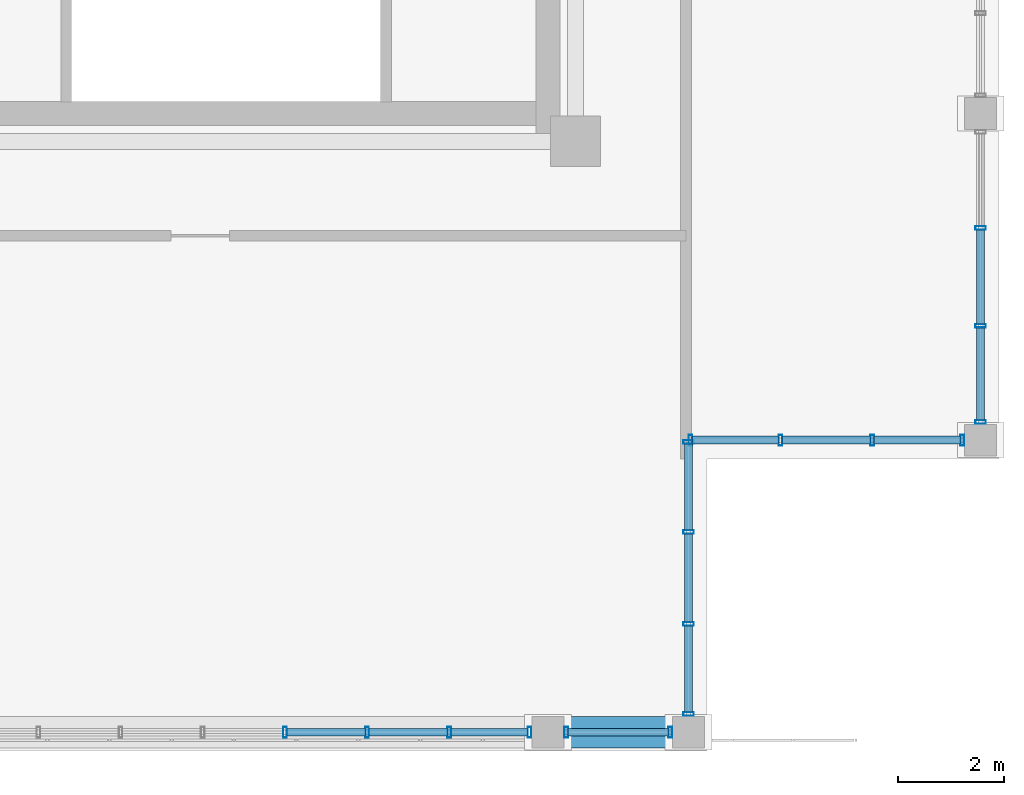
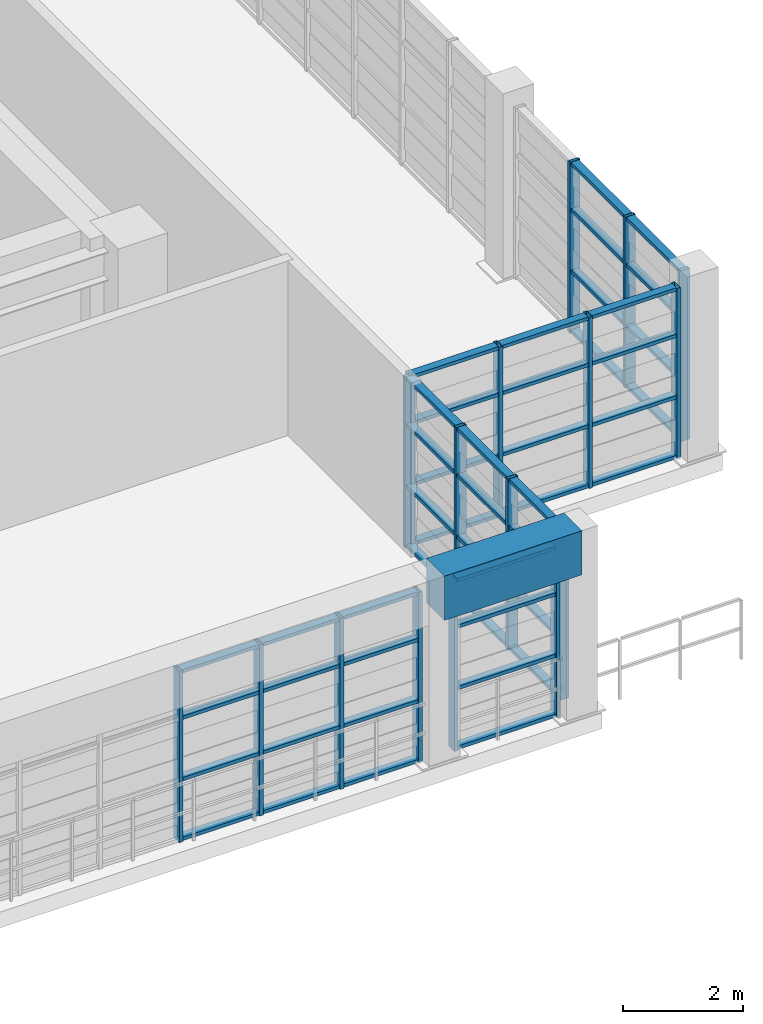
# One storey, part 6 of 24: 65 members, 1 beam, 5 elements without a shape of their own.
"""IFC4 building model written with IfcOpenShell, lengths in metres."""

from ifc_helpers import new_model, si_unit, direction, frame, origin, origin_2d, place, context, subcontext, project, spatial, rectangle, hollow_rectangle, extrude, source, transform, mapped, material, layer, layer_set, material_profile, profile_set, type_object, element, aggregate, save


model = new_model("IFC4")

# Units and contexts
model_context = context("Model", 3, precision=1e-05, world=origin(), true_north=direction((0.0, 1.0)))
body_context = subcontext(model_context, "Body", "Model", "MODEL_VIEW")
ifc_project = project(units=[si_unit("LENGTHUNIT", "METRE"), si_unit("AREAUNIT", "SQUARE_METRE"), si_unit("VOLUMEUNIT", "CUBIC_METRE"), si_unit("PLANEANGLEUNIT", "RADIAN"), si_unit("MASSUNIT", "GRAM", prefix="KILO")], contexts=[model_context])

# Site, building, storey
site_placement = place(None, origin())
site = spatial("IfcSite", under=ifc_project, at=site_placement, CompositionType="ELEMENT")
building_placement = place(site_placement, origin())
building = spatial("IfcBuilding", under=site, at=building_placement, Name="Saelheon Loggia Tower", CompositionType="ELEMENT")
storey_placement = place(building_placement, frame((0.0, 0.0, 252.199951171875)))
storey = spatial("IfcBuildingStorey", under=building, at=storey_placement, Name="CR1", CompositionType="ELEMENT", Elevation=252.199951171875)

# Beam
ifc_material_1 = material(Name="Precast Concrete C45/55", Category="concrete")
ifc_material_profile_1 = material_profile(ifc_material_1, rectangle(XDim=0.60009765625, YDim=0.89990234375, at=origin_2d()), Name="RC-600x900")
ifc_profile_set_1 = profile_set([ifc_material_profile_1], Name="Precast Concrete C45/55")
beam_type = type_object("IfcBeamType", Name="CrownFrame_Ring_RC600x900", PredefinedType="BEAM", material=ifc_profile_set_1)
shared_shape_1 = source(origin(), body_context, "Body", "SweptSolid", [
    extrude(rectangle(XDim=0.60009765625, YDim=0.89990234375, at=origin_2d()), origin(), (0.0, 0.0, 1.0), 2.64990234375),
])
beam_placement = place(storey_placement, frame((44.5, 6.35009765625, 3.35009765625), z_axis=(1.0, 0.0, 0.0), x_axis=(0.0, 1.0, 0.0)))
element("IfcBeam", 1, at=beam_placement, inside=storey, type_object=beam_type, Name="CR1 CROWN FRAME Sill Beam 03", PredefinedType="BEAM", context=body_context, shape_type="MappedRepresentation", body=[
    mapped(shared_shape_1, transform((0.0, 0.0, 0.0), scale=1.0)),
])

# Curtain wall, members
ifc_material_2 = material(Name="Bronze-Anodised Aluminium and Fritted Ceramic Screen", Category="aluminium")
ifc_layer = layer(ifc_material_2, 0.219970703125)
ifc_layer_set = layer_set([ifc_layer], Name="Bronze-Anodised Aluminium and Fritted Ceramic Screen")
curtain_wall_type = type_object("IfcCurtainWallType", Name="CW_CrownScreen", PredefinedType="NOTDEFINED", material=ifc_layer_set)
curtain_wall_1_placement = place(storey_placement, origin())
curtain_wall_1 = element("IfcCurtainWall", 2, at=curtain_wall_1_placement, inside=storey, type_object=curtain_wall_type, Name="CR1 Crown Screen Curtain Wall 0-2", PredefinedType="NOTDEFINED")
ifc_material_3 = material(Name="Bronze-Anodised Aluminium 6063-T6", Category="aluminium")
ifc_material_profile_2 = material_profile(ifc_material_3, hollow_rectangle(XDim=0.070068359375, YDim=0.199951171875, WallThickness=0.0048828125, at=origin_2d()), Name="RHS-200x70x5")
ifc_profile_set_2 = profile_set([ifc_material_profile_2], Name="Bronze-Anodised Aluminium 6063-T6")
member_type_1 = type_object("IfcMemberType", Name="CW_CrownScreen_Mullion", PredefinedType="MULLION", material=ifc_profile_set_2)
shared_shape_2 = source(origin(), body_context, "Body", "SweptSolid", [
    extrude(hollow_rectangle(XDim=0.070068359375, YDim=0.199951171875, WallThickness=0.0048828125, at=origin_2d()), origin(), (0.0, 0.0, 1.0), 3.47998046875),
])
member_1_placement = place(storey_placement, frame((39.547607421875, 6.35009765625, 0.0), z_axis=(0.0, 0.0, 1.0), x_axis=(1.0, 0.0, 0.0)))
member_1 = element("IfcMember", 3, at=member_1_placement, type_object=member_type_1, Name="CW6 mullion 6", PredefinedType="MULLION", context=body_context, shape_type="MappedRepresentation", body=[
    mapped(shared_shape_2, transform((0.0, 0.0, 0.0), scale=1.0)),
])
member_2_placement = place(storey_placement, frame((41.094970703125, 6.35009765625, 0.0), z_axis=(0.0, 0.0, 1.0), x_axis=(1.0, 0.0, 0.0)))
member_2 = element("IfcMember", 4, at=member_2_placement, type_object=member_type_1, Name="CW6 mullion 7", PredefinedType="MULLION", context=body_context, shape_type="MappedRepresentation", body=[
    mapped(shared_shape_2, transform((0.0, 0.0, 0.0), scale=1.0)),
])
member_3_placement = place(storey_placement, frame((42.642578125, 6.35009765625, 0.0), z_axis=(0.0, 0.0, 1.0), x_axis=(1.0, 0.0, 0.0)))
member_3 = element("IfcMember", 5, at=member_3_placement, type_object=member_type_1, Name="CW6 mullion 8", PredefinedType="MULLION", context=body_context, shape_type="MappedRepresentation", body=[
    mapped(shared_shape_2, transform((0.0, 0.0, 0.0), scale=1.0)),
])
member_4_placement = place(storey_placement, frame((44.155029296875, 6.35009765625, 0.0), z_axis=(0.0, 0.0, 1.0), x_axis=(1.0, 0.0, 0.0)))
member_4 = element("IfcMember", 6, at=member_4_placement, type_object=member_type_1, Name="CW6 mullion 9", PredefinedType="MULLION", context=body_context, shape_type="MappedRepresentation", body=[
    mapped(shared_shape_2, transform((0.0, 0.0, 0.0), scale=1.0)),
])

curtain_wall_2_placement = place(storey_placement, origin())
curtain_wall_2 = element("IfcCurtainWall", 7, at=curtain_wall_2_placement, inside=storey, type_object=curtain_wall_type, Name="CR1 Crown Screen Curtain Wall 0-3", PredefinedType="NOTDEFINED")
member_5_placement = place(storey_placement, frame((44.844970703125, 6.35009765625, 0.0), z_axis=(0.0, 0.0, 1.0), x_axis=(1.0, 0.0, 0.0)))
member_5 = element("IfcMember", 8, at=member_5_placement, type_object=member_type_1, Name="CW6 mullion 1", PredefinedType="MULLION", context=body_context, shape_type="MappedRepresentation", body=[
    mapped(shared_shape_2, transform((0.0, 0.0, 0.0), scale=1.0)),
])
member_6_placement = place(storey_placement, frame((46.804931640625, 6.35009765625, 0.0), z_axis=(0.0, 0.0, 1.0), x_axis=(1.0, 0.0, 0.0)))
member_6 = element("IfcMember", 9, at=member_6_placement, type_object=member_type_1, Name="CW6 mullion 2", PredefinedType="MULLION", context=body_context, shape_type="MappedRepresentation", body=[
    mapped(shared_shape_2, transform((0.0, 0.0, 0.0), scale=1.0)),
])

curtain_wall_3_placement = place(storey_placement, origin())
curtain_wall_3 = element("IfcCurtainWall", 10, at=curtain_wall_3_placement, inside=storey, type_object=curtain_wall_type, Name="CR1 Crown Screen Curtain Wall 1-1", PredefinedType="NOTDEFINED")
member_7_placement = place(storey_placement, frame((47.14990234375, 6.695068359375, 0.0), z_axis=(0.0, 0.0, 1.0), x_axis=(0.0, 1.0, 0.0)))
member_7 = element("IfcMember", 11, at=member_7_placement, type_object=member_type_1, Name="CW6 mullion 1", PredefinedType="MULLION", context=body_context, shape_type="MappedRepresentation", body=[
    mapped(shared_shape_2, transform((0.0, 0.0, 0.0), scale=1.0)),
])
member_8_placement = place(storey_placement, frame((47.14990234375, 8.389892578125, 0.0), z_axis=(0.0, 0.0, 1.0), x_axis=(0.0, 1.0, 0.0)))
member_8 = element("IfcMember", 12, at=member_8_placement, type_object=member_type_1, Name="CW6 mullion 2", PredefinedType="MULLION", context=body_context, shape_type="MappedRepresentation", body=[
    mapped(shared_shape_2, transform((0.0, 0.0, 0.0), scale=1.0)),
])
member_9_placement = place(storey_placement, frame((47.14990234375, 10.1201171875, 0.0), z_axis=(0.0, 0.0, 1.0), x_axis=(0.0, 1.0, 0.0)))
member_9 = element("IfcMember", 13, at=member_9_placement, type_object=member_type_1, Name="CW6 mullion 3", PredefinedType="MULLION", context=body_context, shape_type="MappedRepresentation", body=[
    mapped(shared_shape_2, transform((0.0, 0.0, 0.0), scale=1.0)),
])
member_10_placement = place(storey_placement, frame((47.14990234375, 11.81494140625, 0.0), z_axis=(0.0, 0.0, 1.0), x_axis=(0.0, 1.0, 0.0)))
member_10 = element("IfcMember", 14, at=member_10_placement, type_object=member_type_1, Name="CW6 mullion 4", PredefinedType="MULLION", context=body_context, shape_type="MappedRepresentation", body=[
    mapped(shared_shape_2, transform((0.0, 0.0, 0.0), scale=1.0)),
])

curtain_wall_4_placement = place(storey_placement, origin())
curtain_wall_4 = element("IfcCurtainWall", 15, at=curtain_wall_4_placement, inside=storey, type_object=curtain_wall_type, Name="CR1 Crown Screen Curtain Wall 2-1", PredefinedType="NOTDEFINED")
member_11_placement = place(storey_placement, frame((47.18505859375, 11.85009765625, 0.0), z_axis=(0.0, 0.0, 1.0), x_axis=(1.0, 0.0, 0.0)))
member_11 = element("IfcMember", 16, at=member_11_placement, type_object=member_type_1, Name="CW6 mullion 1", PredefinedType="MULLION", context=body_context, shape_type="MappedRepresentation", body=[
    mapped(shared_shape_2, transform((0.0, 0.0, 0.0), scale=1.0)),
])
member_12_placement = place(storey_placement, frame((48.8798828125, 11.85009765625, 0.0), z_axis=(0.0, 0.0, 1.0), x_axis=(1.0, 0.0, 0.0)))
member_12 = element("IfcMember", 17, at=member_12_placement, type_object=member_type_1, Name="CW6 mullion 2", PredefinedType="MULLION", context=body_context, shape_type="MappedRepresentation", body=[
    mapped(shared_shape_2, transform((0.0, 0.0, 0.0), scale=1.0)),
])
member_13_placement = place(storey_placement, frame((50.610107421875, 11.85009765625, 0.0), z_axis=(0.0, 0.0, 1.0), x_axis=(1.0, 0.0, 0.0)))
member_13 = element("IfcMember", 18, at=member_13_placement, type_object=member_type_1, Name="CW6 mullion 3", PredefinedType="MULLION", context=body_context, shape_type="MappedRepresentation", body=[
    mapped(shared_shape_2, transform((0.0, 0.0, 0.0), scale=1.0)),
])
member_14_placement = place(storey_placement, frame((52.304931640625, 11.85009765625, 0.0), z_axis=(0.0, 0.0, 1.0), x_axis=(1.0, 0.0, 0.0)))
member_14 = element("IfcMember", 19, at=member_14_placement, type_object=member_type_1, Name="CW6 mullion 4", PredefinedType="MULLION", context=body_context, shape_type="MappedRepresentation", body=[
    mapped(shared_shape_2, transform((0.0, 0.0, 0.0), scale=1.0)),
])

curtain_wall_5_placement = place(storey_placement, origin())
curtain_wall_5 = element("IfcCurtainWall", 20, at=curtain_wall_5_placement, inside=storey, type_object=curtain_wall_type, Name="CR1 Crown Screen Curtain Wall 3-1", PredefinedType="NOTDEFINED")
member_15_placement = place(storey_placement, frame((52.64990234375, 12.195068359375, 0.0), z_axis=(0.0, 0.0, 1.0), x_axis=(0.0, 1.0, 0.0)))
member_15 = element("IfcMember", 21, at=member_15_placement, type_object=member_type_1, Name="CW6 mullion 1", PredefinedType="MULLION", context=body_context, shape_type="MappedRepresentation", body=[
    mapped(shared_shape_2, transform((0.0, 0.0, 0.0), scale=1.0)),
])
member_16_placement = place(storey_placement, frame((52.64990234375, 14.00341796875, 0.0), z_axis=(0.0, 0.0, 1.0), x_axis=(0.0, 1.0, 0.0)))
member_16 = element("IfcMember", 22, at=member_16_placement, type_object=member_type_1, Name="CW6 mullion 2", PredefinedType="MULLION", context=body_context, shape_type="MappedRepresentation", body=[
    mapped(shared_shape_2, transform((0.0, 0.0, 0.0), scale=1.0)),
])
member_17_placement = place(storey_placement, frame((52.64990234375, 15.8466796875, 0.0), z_axis=(0.0, 0.0, 1.0), x_axis=(0.0, 1.0, 0.0)))
member_17 = element("IfcMember", 23, at=member_17_placement, type_object=member_type_1, Name="CW6 mullion 3", PredefinedType="MULLION", context=body_context, shape_type="MappedRepresentation", body=[
    mapped(shared_shape_2, transform((0.0, 0.0, 0.0), scale=1.0)),
])

# Member
ifc_material_profile_3 = material_profile(ifc_material_3, hollow_rectangle(XDim=0.070068359375, YDim=0.14990234375, WallThickness=0.0048828125, at=origin_2d()), Name="RHS-150x70x5")
ifc_profile_set_3 = profile_set([ifc_material_profile_3], Name="Bronze-Anodised Aluminium 6063-T6")
member_type_2 = type_object("IfcMemberType", Name="CW_CrownScreen_Transom", PredefinedType="USERDEFINED", material=ifc_profile_set_3)
shared_shape_3 = source(origin(), body_context, "Body", "SweptSolid", [
    extrude(hollow_rectangle(XDim=0.070068359375, YDim=0.14990234375, WallThickness=0.0048828125, at=origin_2d()), origin(), (0.0, 0.0, 1.0), 1.89013671875),
])
member_18_placement = place(storey_placement, frame((44.8798828125, 6.35009765625, 0.03515625), z_axis=(1.0, 0.0, 0.0), x_axis=(0.0, 0.0, 1.0)))
member_18 = element("IfcMember", 24, at=member_18_placement, type_object=member_type_2, Name="CW6 transom 1.1", ObjectType="TRANSOM", PredefinedType="USERDEFINED", context=body_context, shape_type="MappedRepresentation", body=[
    mapped(shared_shape_3, transform((0.0, 0.0, 0.0), scale=1.0)),
])

member_19_placement = place(storey_placement, frame((44.8798828125, 6.35009765625, 1.25), z_axis=(1.0, 0.0, 0.0), x_axis=(0.0, 0.0, 1.0)))
member_19 = element("IfcMember", 25, at=member_19_placement, type_object=member_type_2, Name="CW6 transom 1.2", ObjectType="TRANSOM", PredefinedType="USERDEFINED", context=body_context, shape_type="MappedRepresentation", body=[
    mapped(shared_shape_3, transform((0.0, 0.0, 0.0), scale=1.0)),
])

member_20_placement = place(storey_placement, frame((44.8798828125, 6.35009765625, 2.5), z_axis=(1.0, 0.0, 0.0), x_axis=(0.0, 0.0, 1.0)))
member_20 = element("IfcMember", 26, at=member_20_placement, type_object=member_type_2, Name="CW6 transom 1.3", ObjectType="TRANSOM", PredefinedType="USERDEFINED", context=body_context, shape_type="MappedRepresentation", body=[
    mapped(shared_shape_3, transform((0.0, 0.0, 0.0), scale=1.0)),
])

member_21_placement = place(storey_placement, frame((44.8798828125, 6.35009765625, 3.445068359375), z_axis=(1.0, 0.0, 0.0), x_axis=(0.0, 0.0, 1.0)))
member_21 = element("IfcMember", 27, at=member_21_placement, type_object=member_type_2, Name="CW6 transom 1.4", ObjectType="TRANSOM", PredefinedType="USERDEFINED", context=body_context, shape_type="MappedRepresentation", body=[
    mapped(shared_shape_3, transform((0.0, 0.0, 0.0), scale=1.0)),
])

aggregate(curtain_wall_2, [member_5, member_6, member_18, member_19, member_20, member_21])

shared_shape_4 = source(origin(), body_context, "Body", "SweptSolid", [
    extrude(hollow_rectangle(XDim=0.070068359375, YDim=0.14990234375, WallThickness=0.0048828125, at=origin_2d()), origin(), (0.0, 0.0, 1.0), 1.442626953125),
])
member_22_placement = place(storey_placement, frame((42.677490234375, 6.35009765625, 0.03515625), z_axis=(1.0, 0.0, 0.0), x_axis=(0.0, 0.0, 1.0)))
member_22 = element("IfcMember", 28, at=member_22_placement, type_object=member_type_2, Name="CW6 transom 8.1", ObjectType="TRANSOM", PredefinedType="USERDEFINED", context=body_context, shape_type="MappedRepresentation", body=[
    mapped(shared_shape_4, transform((0.0, 0.0, 0.0), scale=1.0)),
])

member_23_placement = place(storey_placement, frame((42.677490234375, 6.35009765625, 1.25), z_axis=(1.0, 0.0, 0.0), x_axis=(0.0, 0.0, 1.0)))
member_23 = element("IfcMember", 29, at=member_23_placement, type_object=member_type_2, Name="CW6 transom 8.2", ObjectType="TRANSOM", PredefinedType="USERDEFINED", context=body_context, shape_type="MappedRepresentation", body=[
    mapped(shared_shape_4, transform((0.0, 0.0, 0.0), scale=1.0)),
])

member_24_placement = place(storey_placement, frame((42.677490234375, 6.35009765625, 2.5), z_axis=(1.0, 0.0, 0.0), x_axis=(0.0, 0.0, 1.0)))
member_24 = element("IfcMember", 30, at=member_24_placement, type_object=member_type_2, Name="CW6 transom 8.3", ObjectType="TRANSOM", PredefinedType="USERDEFINED", context=body_context, shape_type="MappedRepresentation", body=[
    mapped(shared_shape_4, transform((0.0, 0.0, 0.0), scale=1.0)),
])

member_25_placement = place(storey_placement, frame((42.677490234375, 6.35009765625, 3.445068359375), z_axis=(1.0, 0.0, 0.0), x_axis=(0.0, 0.0, 1.0)))
member_25 = element("IfcMember", 31, at=member_25_placement, type_object=member_type_2, Name="CW6 transom 8.4", ObjectType="TRANSOM", PredefinedType="USERDEFINED", context=body_context, shape_type="MappedRepresentation", body=[
    mapped(shared_shape_4, transform((0.0, 0.0, 0.0), scale=1.0)),
])

shared_shape_5 = source(origin(), body_context, "Body", "SweptSolid", [
    extrude(hollow_rectangle(XDim=0.070068359375, YDim=0.14990234375, WallThickness=0.0048828125, at=origin_2d()), origin(), (0.0, 0.0, 1.0), 1.4775390625),
])
member_26_placement = place(storey_placement, frame((39.58251953125, 6.35009765625, 0.03515625), z_axis=(1.0, 0.0, 0.0), x_axis=(0.0, 0.0, 1.0)))
member_26 = element("IfcMember", 32, at=member_26_placement, type_object=member_type_2, Name="CW6 transom 6.1", ObjectType="TRANSOM", PredefinedType="USERDEFINED", context=body_context, shape_type="MappedRepresentation", body=[
    mapped(shared_shape_5, transform((0.0, 0.0, 0.0), scale=1.0)),
])

member_27_placement = place(storey_placement, frame((39.58251953125, 6.35009765625, 1.25), z_axis=(1.0, 0.0, 0.0), x_axis=(0.0, 0.0, 1.0)))
member_27 = element("IfcMember", 33, at=member_27_placement, type_object=member_type_2, Name="CW6 transom 6.2", ObjectType="TRANSOM", PredefinedType="USERDEFINED", context=body_context, shape_type="MappedRepresentation", body=[
    mapped(shared_shape_5, transform((0.0, 0.0, 0.0), scale=1.0)),
])

member_28_placement = place(storey_placement, frame((39.58251953125, 6.35009765625, 2.5), z_axis=(1.0, 0.0, 0.0), x_axis=(0.0, 0.0, 1.0)))
member_28 = element("IfcMember", 34, at=member_28_placement, type_object=member_type_2, Name="CW6 transom 6.3", ObjectType="TRANSOM", PredefinedType="USERDEFINED", context=body_context, shape_type="MappedRepresentation", body=[
    mapped(shared_shape_5, transform((0.0, 0.0, 0.0), scale=1.0)),
])

member_29_placement = place(storey_placement, frame((39.58251953125, 6.35009765625, 3.445068359375), z_axis=(1.0, 0.0, 0.0), x_axis=(0.0, 0.0, 1.0)))
member_29 = element("IfcMember", 35, at=member_29_placement, type_object=member_type_2, Name="CW6 transom 6.4", ObjectType="TRANSOM", PredefinedType="USERDEFINED", context=body_context, shape_type="MappedRepresentation", body=[
    mapped(shared_shape_5, transform((0.0, 0.0, 0.0), scale=1.0)),
])

member_30_placement = place(storey_placement, frame((41.1298828125, 6.35009765625, 0.03515625), z_axis=(1.0, 0.0, 0.0), x_axis=(0.0, 0.0, 1.0)))
member_30 = element("IfcMember", 36, at=member_30_placement, type_object=member_type_2, Name="CW6 transom 7.1", ObjectType="TRANSOM", PredefinedType="USERDEFINED", context=body_context, shape_type="MappedRepresentation", body=[
    mapped(shared_shape_5, transform((0.0, 0.0, 0.0), scale=1.0)),
])

member_31_placement = place(storey_placement, frame((41.1298828125, 6.35009765625, 1.25), z_axis=(1.0, 0.0, 0.0), x_axis=(0.0, 0.0, 1.0)))
member_31 = element("IfcMember", 37, at=member_31_placement, type_object=member_type_2, Name="CW6 transom 7.2", ObjectType="TRANSOM", PredefinedType="USERDEFINED", context=body_context, shape_type="MappedRepresentation", body=[
    mapped(shared_shape_5, transform((0.0, 0.0, 0.0), scale=1.0)),
])

member_32_placement = place(storey_placement, frame((41.1298828125, 6.35009765625, 2.5), z_axis=(1.0, 0.0, 0.0), x_axis=(0.0, 0.0, 1.0)))
member_32 = element("IfcMember", 38, at=member_32_placement, type_object=member_type_2, Name="CW6 transom 7.3", ObjectType="TRANSOM", PredefinedType="USERDEFINED", context=body_context, shape_type="MappedRepresentation", body=[
    mapped(shared_shape_5, transform((0.0, 0.0, 0.0), scale=1.0)),
])

member_33_placement = place(storey_placement, frame((41.1298828125, 6.35009765625, 3.445068359375), z_axis=(1.0, 0.0, 0.0), x_axis=(0.0, 0.0, 1.0)))
member_33 = element("IfcMember", 39, at=member_33_placement, type_object=member_type_2, Name="CW6 transom 7.4", ObjectType="TRANSOM", PredefinedType="USERDEFINED", context=body_context, shape_type="MappedRepresentation", body=[
    mapped(shared_shape_5, transform((0.0, 0.0, 0.0), scale=1.0)),
])

aggregate(curtain_wall_1, [member_1, member_2, member_3, member_4, member_26, member_27, member_28, member_29, member_30, member_31, member_32, member_33, member_22, member_23, member_24, member_25])

shared_shape_6 = source(origin(), body_context, "Body", "SweptSolid", [
    extrude(hollow_rectangle(XDim=0.070068359375, YDim=0.14990234375, WallThickness=0.0048828125, at=origin_2d()), origin(), (0.0, 0.0, 1.0), 1.625),
])
member_34_placement = place(storey_placement, frame((47.14990234375, 6.72998046875, 0.03515625), z_axis=(0.0, 1.0, 0.0), x_axis=(0.0, 0.0, 1.0)))
member_34 = element("IfcMember", 40, at=member_34_placement, type_object=member_type_2, Name="CW6 transom 1.1", ObjectType="TRANSOM", PredefinedType="USERDEFINED", context=body_context, shape_type="MappedRepresentation", body=[
    mapped(shared_shape_6, transform((0.0, 0.0, 0.0), scale=1.0)),
])

member_35_placement = place(storey_placement, frame((47.14990234375, 6.72998046875, 1.25), z_axis=(0.0, 1.0, 0.0), x_axis=(0.0, 0.0, 1.0)))
member_35 = element("IfcMember", 41, at=member_35_placement, type_object=member_type_2, Name="CW6 transom 1.2", ObjectType="TRANSOM", PredefinedType="USERDEFINED", context=body_context, shape_type="MappedRepresentation", body=[
    mapped(shared_shape_6, transform((0.0, 0.0, 0.0), scale=1.0)),
])

member_36_placement = place(storey_placement, frame((47.14990234375, 6.72998046875, 2.5), z_axis=(0.0, 1.0, 0.0), x_axis=(0.0, 0.0, 1.0)))
member_36 = element("IfcMember", 42, at=member_36_placement, type_object=member_type_2, Name="CW6 transom 1.3", ObjectType="TRANSOM", PredefinedType="USERDEFINED", context=body_context, shape_type="MappedRepresentation", body=[
    mapped(shared_shape_6, transform((0.0, 0.0, 0.0), scale=1.0)),
])

member_37_placement = place(storey_placement, frame((47.14990234375, 6.72998046875, 3.445068359375), z_axis=(0.0, 1.0, 0.0), x_axis=(0.0, 0.0, 1.0)))
member_37 = element("IfcMember", 43, at=member_37_placement, type_object=member_type_2, Name="CW6 transom 1.4", ObjectType="TRANSOM", PredefinedType="USERDEFINED", context=body_context, shape_type="MappedRepresentation", body=[
    mapped(shared_shape_6, transform((0.0, 0.0, 0.0), scale=1.0)),
])

member_38_placement = place(storey_placement, frame((47.14990234375, 10.155029296875, 0.03515625), z_axis=(0.0, 1.0, 0.0), x_axis=(0.0, 0.0, 1.0)))
member_38 = element("IfcMember", 44, at=member_38_placement, type_object=member_type_2, Name="CW6 transom 3.1", ObjectType="TRANSOM", PredefinedType="USERDEFINED", context=body_context, shape_type="MappedRepresentation", body=[
    mapped(shared_shape_6, transform((0.0, 0.0, 0.0), scale=1.0)),
])

member_39_placement = place(storey_placement, frame((47.14990234375, 10.155029296875, 1.25), z_axis=(0.0, 1.0, 0.0), x_axis=(0.0, 0.0, 1.0)))
member_39 = element("IfcMember", 45, at=member_39_placement, type_object=member_type_2, Name="CW6 transom 3.2", ObjectType="TRANSOM", PredefinedType="USERDEFINED", context=body_context, shape_type="MappedRepresentation", body=[
    mapped(shared_shape_6, transform((0.0, 0.0, 0.0), scale=1.0)),
])

member_40_placement = place(storey_placement, frame((47.14990234375, 10.155029296875, 2.5), z_axis=(0.0, 1.0, 0.0), x_axis=(0.0, 0.0, 1.0)))
member_40 = element("IfcMember", 46, at=member_40_placement, type_object=member_type_2, Name="CW6 transom 3.3", ObjectType="TRANSOM", PredefinedType="USERDEFINED", context=body_context, shape_type="MappedRepresentation", body=[
    mapped(shared_shape_6, transform((0.0, 0.0, 0.0), scale=1.0)),
])

member_41_placement = place(storey_placement, frame((47.14990234375, 10.155029296875, 3.445068359375), z_axis=(0.0, 1.0, 0.0), x_axis=(0.0, 0.0, 1.0)))
member_41 = element("IfcMember", 47, at=member_41_placement, type_object=member_type_2, Name="CW6 transom 3.4", ObjectType="TRANSOM", PredefinedType="USERDEFINED", context=body_context, shape_type="MappedRepresentation", body=[
    mapped(shared_shape_6, transform((0.0, 0.0, 0.0), scale=1.0)),
])

member_42_placement = place(storey_placement, frame((47.219970703125, 11.85009765625, 0.03515625), z_axis=(1.0, 0.0, 0.0), x_axis=(0.0, 0.0, 1.0)))
member_42 = element("IfcMember", 48, at=member_42_placement, type_object=member_type_2, Name="CW6 transom 1.1", ObjectType="TRANSOM", PredefinedType="USERDEFINED", context=body_context, shape_type="MappedRepresentation", body=[
    mapped(shared_shape_6, transform((0.0, 0.0, 0.0), scale=1.0)),
])

member_43_placement = place(storey_placement, frame((47.219970703125, 11.85009765625, 1.25), z_axis=(1.0, 0.0, 0.0), x_axis=(0.0, 0.0, 1.0)))
member_43 = element("IfcMember", 49, at=member_43_placement, type_object=member_type_2, Name="CW6 transom 1.2", ObjectType="TRANSOM", PredefinedType="USERDEFINED", context=body_context, shape_type="MappedRepresentation", body=[
    mapped(shared_shape_6, transform((0.0, 0.0, 0.0), scale=1.0)),
])

member_44_placement = place(storey_placement, frame((47.219970703125, 11.85009765625, 2.5), z_axis=(1.0, 0.0, 0.0), x_axis=(0.0, 0.0, 1.0)))
member_44 = element("IfcMember", 50, at=member_44_placement, type_object=member_type_2, Name="CW6 transom 1.3", ObjectType="TRANSOM", PredefinedType="USERDEFINED", context=body_context, shape_type="MappedRepresentation", body=[
    mapped(shared_shape_6, transform((0.0, 0.0, 0.0), scale=1.0)),
])

member_45_placement = place(storey_placement, frame((47.219970703125, 11.85009765625, 3.445068359375), z_axis=(1.0, 0.0, 0.0), x_axis=(0.0, 0.0, 1.0)))
member_45 = element("IfcMember", 51, at=member_45_placement, type_object=member_type_2, Name="CW6 transom 1.4", ObjectType="TRANSOM", PredefinedType="USERDEFINED", context=body_context, shape_type="MappedRepresentation", body=[
    mapped(shared_shape_6, transform((0.0, 0.0, 0.0), scale=1.0)),
])

member_46_placement = place(storey_placement, frame((50.64501953125, 11.85009765625, 0.03515625), z_axis=(1.0, 0.0, 0.0), x_axis=(0.0, 0.0, 1.0)))
member_46 = element("IfcMember", 52, at=member_46_placement, type_object=member_type_2, Name="CW6 transom 3.1", ObjectType="TRANSOM", PredefinedType="USERDEFINED", context=body_context, shape_type="MappedRepresentation", body=[
    mapped(shared_shape_6, transform((0.0, 0.0, 0.0), scale=1.0)),
])

member_47_placement = place(storey_placement, frame((50.64501953125, 11.85009765625, 1.25), z_axis=(1.0, 0.0, 0.0), x_axis=(0.0, 0.0, 1.0)))
member_47 = element("IfcMember", 53, at=member_47_placement, type_object=member_type_2, Name="CW6 transom 3.2", ObjectType="TRANSOM", PredefinedType="USERDEFINED", context=body_context, shape_type="MappedRepresentation", body=[
    mapped(shared_shape_6, transform((0.0, 0.0, 0.0), scale=1.0)),
])

member_48_placement = place(storey_placement, frame((50.64501953125, 11.85009765625, 2.5), z_axis=(1.0, 0.0, 0.0), x_axis=(0.0, 0.0, 1.0)))
member_48 = element("IfcMember", 54, at=member_48_placement, type_object=member_type_2, Name="CW6 transom 3.3", ObjectType="TRANSOM", PredefinedType="USERDEFINED", context=body_context, shape_type="MappedRepresentation", body=[
    mapped(shared_shape_6, transform((0.0, 0.0, 0.0), scale=1.0)),
])

member_49_placement = place(storey_placement, frame((50.64501953125, 11.85009765625, 3.445068359375), z_axis=(1.0, 0.0, 0.0), x_axis=(0.0, 0.0, 1.0)))
member_49 = element("IfcMember", 55, at=member_49_placement, type_object=member_type_2, Name="CW6 transom 3.4", ObjectType="TRANSOM", PredefinedType="USERDEFINED", context=body_context, shape_type="MappedRepresentation", body=[
    mapped(shared_shape_6, transform((0.0, 0.0, 0.0), scale=1.0)),
])

shared_shape_7 = source(origin(), body_context, "Body", "SweptSolid", [
    extrude(hollow_rectangle(XDim=0.070068359375, YDim=0.14990234375, WallThickness=0.0048828125, at=origin_2d()), origin(), (0.0, 0.0, 1.0), 1.659912109375),
])
member_50_placement = place(storey_placement, frame((47.14990234375, 8.425048828125, 0.03515625), z_axis=(0.0, 1.0, 0.0), x_axis=(0.0, 0.0, 1.0)))
member_50 = element("IfcMember", 56, at=member_50_placement, type_object=member_type_2, Name="CW6 transom 2.1", ObjectType="TRANSOM", PredefinedType="USERDEFINED", context=body_context, shape_type="MappedRepresentation", body=[
    mapped(shared_shape_7, transform((0.0, 0.0, 0.0), scale=1.0)),
])

member_51_placement = place(storey_placement, frame((47.14990234375, 8.425048828125, 1.25), z_axis=(0.0, 1.0, 0.0), x_axis=(0.0, 0.0, 1.0)))
member_51 = element("IfcMember", 57, at=member_51_placement, type_object=member_type_2, Name="CW6 transom 2.2", ObjectType="TRANSOM", PredefinedType="USERDEFINED", context=body_context, shape_type="MappedRepresentation", body=[
    mapped(shared_shape_7, transform((0.0, 0.0, 0.0), scale=1.0)),
])

member_52_placement = place(storey_placement, frame((47.14990234375, 8.425048828125, 2.5), z_axis=(0.0, 1.0, 0.0), x_axis=(0.0, 0.0, 1.0)))
member_52 = element("IfcMember", 58, at=member_52_placement, type_object=member_type_2, Name="CW6 transom 2.3", ObjectType="TRANSOM", PredefinedType="USERDEFINED", context=body_context, shape_type="MappedRepresentation", body=[
    mapped(shared_shape_7, transform((0.0, 0.0, 0.0), scale=1.0)),
])

member_53_placement = place(storey_placement, frame((47.14990234375, 8.425048828125, 3.445068359375), z_axis=(0.0, 1.0, 0.0), x_axis=(0.0, 0.0, 1.0)))
member_53 = element("IfcMember", 59, at=member_53_placement, type_object=member_type_2, Name="CW6 transom 2.4", ObjectType="TRANSOM", PredefinedType="USERDEFINED", context=body_context, shape_type="MappedRepresentation", body=[
    mapped(shared_shape_7, transform((0.0, 0.0, 0.0), scale=1.0)),
])

aggregate(curtain_wall_3, [member_7, member_8, member_9, member_10, member_34, member_35, member_36, member_37, member_50, member_51, member_52, member_53, member_38, member_39, member_40, member_41])

member_54_placement = place(storey_placement, frame((48.9150390625, 11.85009765625, 0.03515625), z_axis=(1.0, 0.0, 0.0), x_axis=(0.0, 0.0, 1.0)))
member_54 = element("IfcMember", 60, at=member_54_placement, type_object=member_type_2, Name="CW6 transom 2.1", ObjectType="TRANSOM", PredefinedType="USERDEFINED", context=body_context, shape_type="MappedRepresentation", body=[
    mapped(shared_shape_7, transform((0.0, 0.0, 0.0), scale=1.0)),
])

member_55_placement = place(storey_placement, frame((48.9150390625, 11.85009765625, 1.25), z_axis=(1.0, 0.0, 0.0), x_axis=(0.0, 0.0, 1.0)))
member_55 = element("IfcMember", 61, at=member_55_placement, type_object=member_type_2, Name="CW6 transom 2.2", ObjectType="TRANSOM", PredefinedType="USERDEFINED", context=body_context, shape_type="MappedRepresentation", body=[
    mapped(shared_shape_7, transform((0.0, 0.0, 0.0), scale=1.0)),
])

member_56_placement = place(storey_placement, frame((48.9150390625, 11.85009765625, 2.5), z_axis=(1.0, 0.0, 0.0), x_axis=(0.0, 0.0, 1.0)))
member_56 = element("IfcMember", 62, at=member_56_placement, type_object=member_type_2, Name="CW6 transom 2.3", ObjectType="TRANSOM", PredefinedType="USERDEFINED", context=body_context, shape_type="MappedRepresentation", body=[
    mapped(shared_shape_7, transform((0.0, 0.0, 0.0), scale=1.0)),
])

member_57_placement = place(storey_placement, frame((48.9150390625, 11.85009765625, 3.445068359375), z_axis=(1.0, 0.0, 0.0), x_axis=(0.0, 0.0, 1.0)))
member_57 = element("IfcMember", 63, at=member_57_placement, type_object=member_type_2, Name="CW6 transom 2.4", ObjectType="TRANSOM", PredefinedType="USERDEFINED", context=body_context, shape_type="MappedRepresentation", body=[
    mapped(shared_shape_7, transform((0.0, 0.0, 0.0), scale=1.0)),
])

aggregate(curtain_wall_4, [member_11, member_12, member_13, member_14, member_42, member_43, member_44, member_45, member_54, member_55, member_56, member_57, member_46, member_47, member_48, member_49])

shared_shape_8 = source(origin(), body_context, "Body", "SweptSolid", [
    extrude(hollow_rectangle(XDim=0.070068359375, YDim=0.14990234375, WallThickness=0.0048828125, at=origin_2d()), origin(), (0.0, 0.0, 1.0), 1.73828125),
])
member_58_placement = place(storey_placement, frame((52.64990234375, 12.22998046875, 0.03515625), z_axis=(0.0, 1.0, 0.0), x_axis=(0.0, 0.0, 1.0)))
member_58 = element("IfcMember", 64, at=member_58_placement, type_object=member_type_2, Name="CW6 transom 1.1", ObjectType="TRANSOM", PredefinedType="USERDEFINED", context=body_context, shape_type="MappedRepresentation", body=[
    mapped(shared_shape_8, transform((0.0, 0.0, 0.0), scale=1.0)),
])

member_59_placement = place(storey_placement, frame((52.64990234375, 12.22998046875, 1.25), z_axis=(0.0, 1.0, 0.0), x_axis=(0.0, 0.0, 1.0)))
member_59 = element("IfcMember", 65, at=member_59_placement, type_object=member_type_2, Name="CW6 transom 1.2", ObjectType="TRANSOM", PredefinedType="USERDEFINED", context=body_context, shape_type="MappedRepresentation", body=[
    mapped(shared_shape_8, transform((0.0, 0.0, 0.0), scale=1.0)),
])

member_60_placement = place(storey_placement, frame((52.64990234375, 12.22998046875, 2.5), z_axis=(0.0, 1.0, 0.0), x_axis=(0.0, 0.0, 1.0)))
member_60 = element("IfcMember", 66, at=member_60_placement, type_object=member_type_2, Name="CW6 transom 1.3", ObjectType="TRANSOM", PredefinedType="USERDEFINED", context=body_context, shape_type="MappedRepresentation", body=[
    mapped(shared_shape_8, transform((0.0, 0.0, 0.0), scale=1.0)),
])

member_61_placement = place(storey_placement, frame((52.64990234375, 12.22998046875, 3.445068359375), z_axis=(0.0, 1.0, 0.0), x_axis=(0.0, 0.0, 1.0)))
member_61 = element("IfcMember", 67, at=member_61_placement, type_object=member_type_2, Name="CW6 transom 1.4", ObjectType="TRANSOM", PredefinedType="USERDEFINED", context=body_context, shape_type="MappedRepresentation", body=[
    mapped(shared_shape_8, transform((0.0, 0.0, 0.0), scale=1.0)),
])

shared_shape_9 = source(origin(), body_context, "Body", "SweptSolid", [
    extrude(hollow_rectangle(XDim=0.070068359375, YDim=0.14990234375, WallThickness=0.0048828125, at=origin_2d()), origin(), (0.0, 0.0, 1.0), 1.7734375),
])
member_62_placement = place(storey_placement, frame((52.64990234375, 14.038330078125, 0.03515625), z_axis=(0.0, 1.0, 0.0), x_axis=(0.0, 0.0, 1.0)))
member_62 = element("IfcMember", 68, at=member_62_placement, type_object=member_type_2, Name="CW6 transom 2.1", ObjectType="TRANSOM", PredefinedType="USERDEFINED", context=body_context, shape_type="MappedRepresentation", body=[
    mapped(shared_shape_9, transform((0.0, 0.0, 0.0), scale=1.0)),
])

member_63_placement = place(storey_placement, frame((52.64990234375, 14.038330078125, 1.25), z_axis=(0.0, 1.0, 0.0), x_axis=(0.0, 0.0, 1.0)))
member_63 = element("IfcMember", 69, at=member_63_placement, type_object=member_type_2, Name="CW6 transom 2.2", ObjectType="TRANSOM", PredefinedType="USERDEFINED", context=body_context, shape_type="MappedRepresentation", body=[
    mapped(shared_shape_9, transform((0.0, 0.0, 0.0), scale=1.0)),
])

member_64_placement = place(storey_placement, frame((52.64990234375, 14.038330078125, 2.5), z_axis=(0.0, 1.0, 0.0), x_axis=(0.0, 0.0, 1.0)))
member_64 = element("IfcMember", 70, at=member_64_placement, type_object=member_type_2, Name="CW6 transom 2.3", ObjectType="TRANSOM", PredefinedType="USERDEFINED", context=body_context, shape_type="MappedRepresentation", body=[
    mapped(shared_shape_9, transform((0.0, 0.0, 0.0), scale=1.0)),
])

member_65_placement = place(storey_placement, frame((52.64990234375, 14.038330078125, 3.445068359375), z_axis=(0.0, 1.0, 0.0), x_axis=(0.0, 0.0, 1.0)))
member_65 = element("IfcMember", 71, at=member_65_placement, type_object=member_type_2, Name="CW6 transom 2.4", ObjectType="TRANSOM", PredefinedType="USERDEFINED", context=body_context, shape_type="MappedRepresentation", body=[
    mapped(shared_shape_9, transform((0.0, 0.0, 0.0), scale=1.0)),
])

aggregate(curtain_wall_5, [member_15, member_16, member_17, member_58, member_59, member_60, member_61, member_62, member_63, member_64, member_65])

save(model, "model.ifc")
